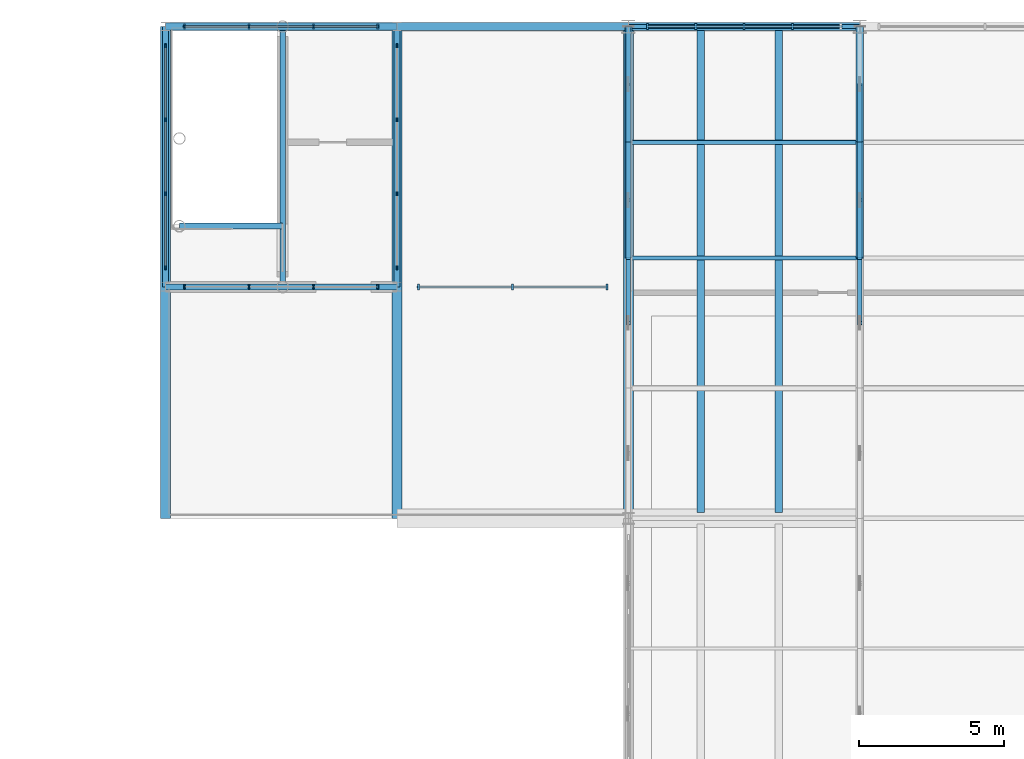
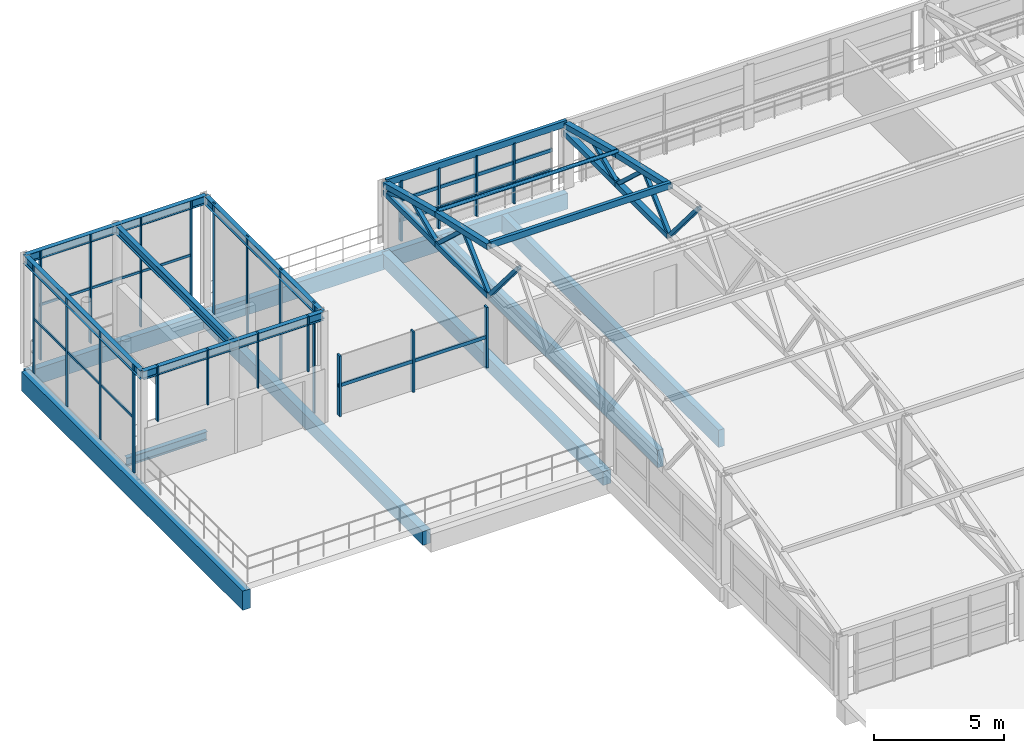
# One storey, part 17 of 50: 48 members, 14 beams, 6 elements without a shape of their own.
"""IFC4 building model written with IfcOpenShell, lengths in metres."""

from ifc_helpers import new_model, si_unit, derived_unit, direction, frame, origin, origin_2d, place, context, subcontext, project, spatial, rectangle, hollow_rectangle, hollow_circle, i_section, extrude, material, layer, layer_set, material_profile, profile_set, type_object, element, aggregate, save


model = new_model("IFC4")

# Units and contexts
model_context = context("Model", 3, precision=1e-05, world=origin(), true_north=direction((0.0, 1.0)))
body_context = subcontext(model_context, "Body", "Model", "MODEL_VIEW")
ifc_project = project(units=[si_unit("LENGTHUNIT", "METRE"), si_unit("AREAUNIT", "SQUARE_METRE"), si_unit("VOLUMEUNIT", "CUBIC_METRE"), si_unit("PLANEANGLEUNIT", "RADIAN"), si_unit("MASSUNIT", "GRAM", prefix="KILO"), si_unit("THERMODYNAMICTEMPERATUREUNIT", "KELVIN"), derived_unit("THERMALTRANSMITTANCEUNIT", [(si_unit("POWERUNIT", "WATT"), 1), (si_unit("AREAUNIT", "SQUARE_METRE"), -1), (si_unit("THERMODYNAMICTEMPERATUREUNIT", "KELVIN"), -1)])], contexts=[model_context])

# Site, building, storey
site_placement = place(None, origin())
site = spatial("IfcSite", under=ifc_project, at=site_placement, CompositionType="ELEMENT")
building_placement = place(site_placement, origin())
building = spatial("IfcBuilding", under=site, at=building_placement, Name="Haiyu Intermodal Mobility Hub", CompositionType="ELEMENT")
storey_placement = place(building_placement, frame((0.0, 0.0, 25.10009765625)))
storey = spatial("IfcBuildingStorey", under=building, at=storey_placement, Name="L06", CompositionType="ELEMENT", Elevation=25.10009765625)

# Beams
ifc_material_1 = material(Name="Concrete C40", Category="concrete")
ifc_material_profile_1 = material_profile(ifc_material_1, rectangle(XDim=0.35009765625, YDim=0.64990234375, at=origin_2d()), Name="RCB350x650")
ifc_profile_set_1 = profile_set([ifc_material_profile_1], Name="Concrete C40")
beam_type_1 = type_object("IfcBeamType", Name="BM-CB04", PredefinedType="BEAM", material=ifc_profile_set_1)
for number, where, z_axis, x_axis, name in (
    (1, (30.0, 131.0, -0.60498046875), (0.0, 1.0, 0.0), (-1.0, 0.0, 0.0), "BM-V4E-L06-002"),
    (2, (38.0, 131.0, -0.60498046875), (0.0, 1.0, 0.0), (-1.0, 0.0, 0.0), "BM-V4E-L06-004"),
):
    element("IfcBeam", number, at=place(storey_placement, frame(where, z_axis=z_axis, x_axis=x_axis)), inside=storey, type_object=beam_type_1, Name=name, PredefinedType="BEAM", context=body_context, shape_type="SweptSolid", body=[
        extrude(rectangle(XDim=0.35009765625, YDim=0.64990234375, at=origin_2d()), origin(), (0.0, 0.0, 1.0), 17.0),
    ])
ifc_material_2 = material(Name="Precast concrete C50", Category="concrete")
ifc_material_profile_2 = material_profile(ifc_material_2, rectangle(XDim=0.260009765625, YDim=0.820068359375, at=origin_2d()), Name="PC260x820")
ifc_profile_set_2 = profile_set([ifc_material_profile_2], Name="Precast concrete C50")
beam_type_2 = type_object("IfcBeamType", Name="BM-DT04", PredefinedType="JOIST", material=ifc_profile_set_2)
for number, where, z_axis, x_axis, name in (
    (3, (40.5, 131.195068359375, -0.690185546875), (0.0, 1.0, 0.0), (-1.0, 0.0, 0.0), "BM-DT-L06-002"),
    (4, (43.199951171875, 131.195068359375, -0.690185546875), (0.0, 1.0, 0.0), (-1.0, 0.0, 0.0), "BM-DT-L06-004"),
):
    element("IfcBeam", number, at=place(storey_placement, frame(where, z_axis=z_axis, x_axis=x_axis)), inside=storey, type_object=beam_type_2, Name=name, PredefinedType="JOIST", context=body_context, shape_type="SweptSolid", body=[
        extrude(rectangle(XDim=0.260009765625, YDim=0.820068359375, at=origin_2d()), origin(), (0.0, 0.0, 1.0), 16.804931640625),
    ])
ifc_material_3 = material(Name="Steel Q355C", Category="steel")
ifc_material_profile_3 = material_profile(ifc_material_3, i_section(OverallWidth=0.199951171875, OverallDepth=0.39990234375, WebThickness=0.008056640625, FlangeThickness=0.012939453125, FilletRadius=0.01611328125, at=origin_2d()), Name="HN400x200x8x13")
ifc_profile_set_3 = profile_set([ifc_material_profile_3], Name="Steel Q355C")
beam_type_3 = type_object("IfcBeamType", Name="BM-SB08", PredefinedType="JOIST", material=ifc_profile_set_3)
beam_1_placement = place(storey_placement, frame((22.47998046875, 141.10009765625, -0.525146484375), z_axis=(1.0, 0.0, 0.0), x_axis=(0.0, 1.0, 0.0)))
element("IfcBeam", 5, at=beam_1_placement, inside=storey, type_object=beam_type_3, Name="Stair Arrival Trimmer Beam C3-L05", PredefinedType="JOIST", context=body_context, shape_type="SweptSolid", body=[
    extrude(i_section(OverallWidth=0.199951171875, OverallDepth=0.39990234375, WebThickness=0.008056640625, FlangeThickness=0.012939453125, FilletRadius=0.01611328125, at=origin_2d()), origin(), (0.0, 0.0, 1.0), 3.570068359375),
])
ifc_material_profile_4 = material_profile(ifc_material_3, i_section(OverallWidth=0.199951171875, OverallDepth=0.39990234375, WebThickness=0.008056640625, FlangeThickness=0.012939453125, FilletRadius=0.01611328125, at=origin_2d()), Name="HN400x200x8x13")
ifc_profile_set_4 = profile_set([ifc_material_profile_4], Name="Steel Q355C")
beam_type_4 = type_object("IfcBeamType", Name="BM-SB08-EXT", PredefinedType="JOIST", material=ifc_profile_set_4)
beam_2_placement = place(storey_placement, frame((22.0, 139.0, 4.97998046875), z_axis=(1.0, 0.0, 0.0), x_axis=(0.0, 1.0, 0.0)))
element("IfcBeam", 6, at=beam_2_placement, inside=storey, type_object=beam_type_4, Name="BM-CORERF-001", PredefinedType="JOIST", context=body_context, shape_type="SweptSolid", body=[
    extrude(i_section(OverallWidth=0.199951171875, OverallDepth=0.39990234375, WebThickness=0.008056640625, FlangeThickness=0.012939453125, FilletRadius=0.01611328125, at=origin_2d()), origin(), (0.0, 0.0, 1.0), 8.0),
])
beam_3_placement = place(storey_placement, frame((30.0, 139.0, 4.97998046875), z_axis=(0.0, 1.0, 0.0), x_axis=(-1.0, 0.0, 0.0)))
element("IfcBeam", 7, at=beam_3_placement, inside=storey, type_object=beam_type_4, Name="BM-CORERF-002", PredefinedType="JOIST", context=body_context, shape_type="SweptSolid", body=[
    extrude(i_section(OverallWidth=0.199951171875, OverallDepth=0.39990234375, WebThickness=0.008056640625, FlangeThickness=0.012939453125, FilletRadius=0.01611328125, at=origin_2d()), origin(), (0.0, 0.0, 1.0), 9.0),
])
beam_4_placement = place(storey_placement, frame((30.0, 148.0, 4.97998046875), z_axis=(-1.0, 0.0, 0.0), x_axis=(0.0, -1.0, 0.0)))
element("IfcBeam", 8, at=beam_4_placement, inside=storey, type_object=beam_type_4, Name="BM-CORERF-003", PredefinedType="JOIST", context=body_context, shape_type="SweptSolid", body=[
    extrude(i_section(OverallWidth=0.199951171875, OverallDepth=0.39990234375, WebThickness=0.008056640625, FlangeThickness=0.012939453125, FilletRadius=0.01611328125, at=origin_2d()), origin(), (0.0, 0.0, 1.0), 8.0),
])
for number, where, z_axis, x_axis, name in (
    (9, (22.0, 148.0, 4.97998046875), (0.0, -1.0, 0.0), (1.0, 0.0, 0.0), "BM-CORERF-004"),
    (10, (26.050048828125, 139.0, 4.97998046875), (0.0, 1.0, 0.0), (-1.0, 0.0, 0.0), "BM-CORERF-005"),
):
    element("IfcBeam", number, at=place(storey_placement, frame(where, z_axis=z_axis, x_axis=x_axis)), inside=storey, type_object=beam_type_4, Name=name, PredefinedType="JOIST", context=body_context, shape_type="SweptSolid", body=[
        extrude(i_section(OverallWidth=0.199951171875, OverallDepth=0.39990234375, WebThickness=0.008056640625, FlangeThickness=0.012939453125, FilletRadius=0.01611328125, at=origin_2d()), origin(), (0.0, 0.0, 1.0), 9.0),
    ])
ifc_material_4 = material(Name="Precast concrete C40", Category="concrete")
ifc_material_profile_5 = material_profile(ifc_material_4, rectangle(XDim=0.340087890625, YDim=0.89990234375, at=origin_2d()), Name="B340x900")
ifc_profile_set_5 = profile_set([ifc_material_profile_5], Name="Precast concrete C40")
beam_type_5 = type_object("IfcBeamType", Name="BM-SP04", PredefinedType="SPANDREL", material=ifc_profile_set_5)
beam_5_placement = place(storey_placement, frame((22.0, 131.0, -0.72998046875), z_axis=(0.0, 1.0, 0.0), x_axis=(-1.0, 0.0, 0.0)))
element("IfcBeam", 11, at=beam_5_placement, inside=storey, type_object=beam_type_5, Name="BM-V4E-L06-001", PredefinedType="SPANDREL", context=body_context, shape_type="SweptSolid", body=[
    extrude(rectangle(XDim=0.340087890625, YDim=0.89990234375, at=origin_2d()), origin(), (0.0, 0.0, 1.0), 17.0),
])
ifc_material_profile_6 = material_profile(ifc_material_4, rectangle(XDim=0.280029296875, YDim=0.739990234375, at=origin_2d()), Name="B280x740")
ifc_profile_set_6 = profile_set([ifc_material_profile_6], Name="Precast concrete C40")
beam_type_6 = type_object("IfcBeamType", Name="BM-SP05", PredefinedType="SPANDREL", material=ifc_profile_set_6)
for number, where, z_axis, x_axis, name in (
    (12, (22.0, 148.0, -0.650146484375), (1.0, 0.0, 0.0), (0.0, 1.0, 0.0), "BM-V4G-L06-041"),
    (13, (30.0, 148.0, -0.650146484375), (1.0, 0.0, 0.0), (0.0, 1.0, 0.0), "BM-V4G-L06-042"),
    (14, (38.0, 148.0, -0.650146484375), (1.0, 0.0, 0.0), (0.0, 1.0, 0.0), "BM-V4G-L06-043"),
):
    element("IfcBeam", number, at=place(storey_placement, frame(where, z_axis=z_axis, x_axis=x_axis)), inside=storey, type_object=beam_type_6, Name=name, PredefinedType="SPANDREL", context=body_context, shape_type="SweptSolid", body=[
        extrude(rectangle(XDim=0.280029296875, YDim=0.739990234375, at=origin_2d()), origin(), (0.0, 0.0, 1.0), 8.0),
    ])

# Curtain wall, members
ifc_material_5 = material(Name="Low-e laminated insulating glass", Category="glass")
ifc_layer_1 = layer(ifc_material_5, 0.22998046875)
ifc_layer_set_1 = layer_set([ifc_layer_1], Name="Low-e laminated insulating glass")
curtain_wall_type_1 = type_object("IfcCurtainWallType", Name="CW-CW05", PredefinedType="NOTDEFINED", material=ifc_layer_set_1)
curtain_wall_1_placement = place(storey_placement, origin())
curtain_wall_1 = element("IfcCurtainWall", 15, at=curtain_wall_1_placement, inside=storey, type_object=curtain_wall_type_1, Name="Curtain Wall CW-V3N-156", PredefinedType="NOTDEFINED")
ifc_material_6 = material(Name="Anodised aluminium 6063-T6", Category="aluminium")
ifc_material_profile_7 = material_profile(ifc_material_6, rectangle(XDim=0.074951171875, YDim=0.199951171875, at=origin_2d()), Name="ALU75x200")
ifc_profile_set_7 = profile_set([ifc_material_profile_7], Name="Anodised aluminium 6063-T6")
member_type_1 = type_object("IfcMemberType", Name="CWM-ML01", PredefinedType="MULLION", material=ifc_profile_set_7)
member_1_placement = place(storey_placement, frame((43.669921875, 148.0, 0.0), z_axis=(0.0, 0.0, 1.0), x_axis=(1.0, 0.0, 0.0)))
member_1 = element("IfcMember", 16, at=member_1_placement, type_object=member_type_1, Name="CW-V3N-156-ML02", PredefinedType="MULLION", context=body_context, shape_type="SweptSolid", body=[
    extrude(rectangle(XDim=0.074951171875, YDim=0.199951171875, at=origin_2d()), origin(), (0.0, 0.0, 1.0), 2.849853515625),
])
member_2_placement = place(storey_placement, frame((42.0, 148.0, 0.0), z_axis=(0.0, 0.0, 1.0), x_axis=(1.0, 0.0, 0.0)))
member_2 = element("IfcMember", 17, at=member_2_placement, type_object=member_type_1, Name="CW-V3N-156-ML03", PredefinedType="MULLION", context=body_context, shape_type="SweptSolid", body=[
    extrude(rectangle(XDim=0.074951171875, YDim=0.199951171875, at=origin_2d()), origin(), (0.0, 0.0, 1.0), 2.849853515625),
])
member_3_placement = place(storey_placement, frame((40.330078125, 148.0, 0.0), z_axis=(0.0, 0.0, 1.0), x_axis=(1.0, 0.0, 0.0)))
member_3 = element("IfcMember", 18, at=member_3_placement, type_object=member_type_1, Name="CW-V3N-156-ML04", PredefinedType="MULLION", context=body_context, shape_type="SweptSolid", body=[
    extrude(rectangle(XDim=0.074951171875, YDim=0.199951171875, at=origin_2d()), origin(), (0.0, 0.0, 1.0), 2.849853515625),
])
member_4_placement = place(storey_placement, frame((38.659912109375, 148.0, 0.0), z_axis=(0.0, 0.0, 1.0), x_axis=(1.0, 0.0, 0.0)))
member_4 = element("IfcMember", 19, at=member_4_placement, type_object=member_type_1, Name="CW-V3N-156-ML05", PredefinedType="MULLION", context=body_context, shape_type="SweptSolid", body=[
    extrude(rectangle(XDim=0.074951171875, YDim=0.199951171875, at=origin_2d()), origin(), (0.0, 0.0, 1.0), 2.849853515625),
])

curtain_wall_2_placement = place(storey_placement, origin())
curtain_wall_2 = element("IfcCurtainWall", 20, at=curtain_wall_2_placement, inside=storey, type_object=curtain_wall_type_1, Name="Curtain Wall CW-V3LINK-187", PredefinedType="NOTDEFINED")
member_5_placement = place(storey_placement, frame((30.739990234375, 139.0, 0.0), z_axis=(0.0, 0.0, 1.0), x_axis=(1.0, 0.0, 0.0)))
member_5 = element("IfcMember", 21, at=member_5_placement, type_object=member_type_1, Name="CW-V3LINK-187-ML01", PredefinedType="MULLION", context=body_context, shape_type="SweptSolid", body=[
    extrude(rectangle(XDim=0.074951171875, YDim=0.199951171875, at=origin_2d()), origin(), (0.0, 0.0, 1.0), 2.849853515625),
])
member_6_placement = place(storey_placement, frame((34.0, 139.0, 0.0), z_axis=(0.0, 0.0, 1.0), x_axis=(1.0, 0.0, 0.0)))
member_6 = element("IfcMember", 22, at=member_6_placement, type_object=member_type_1, Name="CW-V3LINK-187-ML02", PredefinedType="MULLION", context=body_context, shape_type="SweptSolid", body=[
    extrude(rectangle(XDim=0.074951171875, YDim=0.199951171875, at=origin_2d()), origin(), (0.0, 0.0, 1.0), 2.849853515625),
])
member_7_placement = place(storey_placement, frame((37.260009765625, 139.0, 0.0), z_axis=(0.0, 0.0, 1.0), x_axis=(1.0, 0.0, 0.0)))
member_7 = element("IfcMember", 23, at=member_7_placement, type_object=member_type_1, Name="CW-V3LINK-187-ML03", PredefinedType="MULLION", context=body_context, shape_type="SweptSolid", body=[
    extrude(rectangle(XDim=0.074951171875, YDim=0.199951171875, at=origin_2d()), origin(), (0.0, 0.0, 1.0), 2.849853515625),
])

ifc_layer_2 = layer(ifc_material_5, 0.199951171875)
ifc_layer_set_2 = layer_set([ifc_layer_2], Name="Low-e laminated insulating glass")
curtain_wall_type_2 = type_object("IfcCurtainWallType", Name="CW-CW03", PredefinedType="NOTDEFINED", material=ifc_layer_set_2)
curtain_wall_3_placement = place(storey_placement, origin())
curtain_wall_3 = element("IfcCurtainWall", 24, at=curtain_wall_3_placement, inside=storey, type_object=curtain_wall_type_2, Name="Curtain Wall CW-C3N-L06-061", PredefinedType="NOTDEFINED")
ifc_material_profile_8 = material_profile(ifc_material_6, rectangle(XDim=0.06005859375, YDim=0.14501953125, at=origin_2d()), Name="ALU60x145")
ifc_profile_set_8 = profile_set([ifc_material_profile_8], Name="Anodised aluminium 6063-T6")
member_type_2 = type_object("IfcMemberType", Name="CWM-ML03", PredefinedType="MULLION", material=ifc_profile_set_8)
member_8_placement = place(storey_placement, frame((29.340087890625, 148.0, 0.0), z_axis=(0.0, 0.0, 1.0), x_axis=(1.0, 0.0, 0.0)))
member_8 = element("IfcMember", 25, at=member_8_placement, type_object=member_type_2, Name="CW-C3N-L06-061-ML01", PredefinedType="MULLION", context=body_context, shape_type="SweptSolid", body=[
    extrude(rectangle(XDim=0.06005859375, YDim=0.14501953125, at=origin_2d()), origin(), (0.0, 0.0, 1.0), 5.14990234375),
])
member_9_placement = place(storey_placement, frame((27.113037109375, 148.0, 0.0), z_axis=(0.0, 0.0, 1.0), x_axis=(1.0, 0.0, 0.0)))
member_9 = element("IfcMember", 26, at=member_9_placement, type_object=member_type_2, Name="CW-C3N-L06-061-ML02", PredefinedType="MULLION", context=body_context, shape_type="SweptSolid", body=[
    extrude(rectangle(XDim=0.06005859375, YDim=0.14501953125, at=origin_2d()), origin(), (0.0, 0.0, 1.0), 5.14990234375),
])
member_10_placement = place(storey_placement, frame((24.886962890625, 148.0, 0.0), z_axis=(0.0, 0.0, 1.0), x_axis=(1.0, 0.0, 0.0)))
member_10 = element("IfcMember", 27, at=member_10_placement, type_object=member_type_2, Name="CW-C3N-L06-061-ML03", PredefinedType="MULLION", context=body_context, shape_type="SweptSolid", body=[
    extrude(rectangle(XDim=0.06005859375, YDim=0.14501953125, at=origin_2d()), origin(), (0.0, 0.0, 1.0), 5.14990234375),
])
member_11_placement = place(storey_placement, frame((22.659912109375, 148.0, 0.0), z_axis=(0.0, 0.0, 1.0), x_axis=(1.0, 0.0, 0.0)))
member_11 = element("IfcMember", 28, at=member_11_placement, type_object=member_type_2, Name="CW-C3N-L06-061-ML04", PredefinedType="MULLION", context=body_context, shape_type="SweptSolid", body=[
    extrude(rectangle(XDim=0.06005859375, YDim=0.14501953125, at=origin_2d()), origin(), (0.0, 0.0, 1.0), 5.14990234375),
])

curtain_wall_4_placement = place(storey_placement, origin())
curtain_wall_4 = element("IfcCurtainWall", 29, at=curtain_wall_4_placement, inside=storey, type_object=curtain_wall_type_2, Name="Curtain Wall CW-C3S-L06-062", PredefinedType="NOTDEFINED")
member_12_placement = place(storey_placement, frame((22.0, 147.340087890625, 0.0), z_axis=(0.0, 0.0, 1.0), x_axis=(1.0, 0.0, 0.0)))
member_12 = element("IfcMember", 30, at=member_12_placement, type_object=member_type_2, Name="CW-C3S-L06-062-ML01", PredefinedType="MULLION", context=body_context, shape_type="SweptSolid", body=[
    extrude(rectangle(XDim=0.06005859375, YDim=0.14501953125, at=origin_2d()), origin(), (0.0, 0.0, 1.0), 5.14990234375),
])
member_13_placement = place(storey_placement, frame((22.0, 144.780029296875, 0.0), z_axis=(0.0, 0.0, 1.0), x_axis=(1.0, 0.0, 0.0)))
member_13 = element("IfcMember", 31, at=member_13_placement, type_object=member_type_2, Name="CW-C3S-L06-062-ML02", PredefinedType="MULLION", context=body_context, shape_type="SweptSolid", body=[
    extrude(rectangle(XDim=0.06005859375, YDim=0.14501953125, at=origin_2d()), origin(), (0.0, 0.0, 1.0), 5.14990234375),
])
member_14_placement = place(storey_placement, frame((22.0, 142.219970703125, 0.0), z_axis=(0.0, 0.0, 1.0), x_axis=(1.0, 0.0, 0.0)))
member_14 = element("IfcMember", 32, at=member_14_placement, type_object=member_type_2, Name="CW-C3S-L06-062-ML03", PredefinedType="MULLION", context=body_context, shape_type="SweptSolid", body=[
    extrude(rectangle(XDim=0.06005859375, YDim=0.14501953125, at=origin_2d()), origin(), (0.0, 0.0, 1.0), 5.14990234375),
])
member_15_placement = place(storey_placement, frame((22.0, 139.659912109375, 0.0), z_axis=(0.0, 0.0, 1.0), x_axis=(1.0, 0.0, 0.0)))
member_15 = element("IfcMember", 33, at=member_15_placement, type_object=member_type_2, Name="CW-C3S-L06-062-ML04", PredefinedType="MULLION", context=body_context, shape_type="SweptSolid", body=[
    extrude(rectangle(XDim=0.06005859375, YDim=0.14501953125, at=origin_2d()), origin(), (0.0, 0.0, 1.0), 5.14990234375),
])

curtain_wall_5_placement = place(storey_placement, origin())
curtain_wall_5 = element("IfcCurtainWall", 34, at=curtain_wall_5_placement, inside=storey, type_object=curtain_wall_type_2, Name="Curtain Wall CW-CGLZ-C3-1", PredefinedType="NOTDEFINED")
member_16_placement = place(storey_placement, frame((30.0, 139.659912109375, 0.0), z_axis=(0.0, 0.0, 1.0), x_axis=(1.0, 0.0, 0.0)))
member_16 = element("IfcMember", 35, at=member_16_placement, type_object=member_type_2, Name="CW-CGLZ-C3-1-ML01", PredefinedType="MULLION", context=body_context, shape_type="SweptSolid", body=[
    extrude(rectangle(XDim=0.06005859375, YDim=0.14501953125, at=origin_2d()), origin(), (0.0, 0.0, 1.0), 5.179931640625),
])
member_17_placement = place(storey_placement, frame((30.0, 142.219970703125, 0.0), z_axis=(0.0, 0.0, 1.0), x_axis=(1.0, 0.0, 0.0)))
member_17 = element("IfcMember", 36, at=member_17_placement, type_object=member_type_2, Name="CW-CGLZ-C3-1-ML02", PredefinedType="MULLION", context=body_context, shape_type="SweptSolid", body=[
    extrude(rectangle(XDim=0.06005859375, YDim=0.14501953125, at=origin_2d()), origin(), (0.0, 0.0, 1.0), 5.179931640625),
])
member_18_placement = place(storey_placement, frame((30.0, 144.780029296875, 0.0), z_axis=(0.0, 0.0, 1.0), x_axis=(1.0, 0.0, 0.0)))
member_18 = element("IfcMember", 37, at=member_18_placement, type_object=member_type_2, Name="CW-CGLZ-C3-1-ML03", PredefinedType="MULLION", context=body_context, shape_type="SweptSolid", body=[
    extrude(rectangle(XDim=0.06005859375, YDim=0.14501953125, at=origin_2d()), origin(), (0.0, 0.0, 1.0), 5.179931640625),
])
member_19_placement = place(storey_placement, frame((30.0, 147.340087890625, 0.0), z_axis=(0.0, 0.0, 1.0), x_axis=(1.0, 0.0, 0.0)))
member_19 = element("IfcMember", 38, at=member_19_placement, type_object=member_type_2, Name="CW-CGLZ-C3-1-ML04", PredefinedType="MULLION", context=body_context, shape_type="SweptSolid", body=[
    extrude(rectangle(XDim=0.06005859375, YDim=0.14501953125, at=origin_2d()), origin(), (0.0, 0.0, 1.0), 5.179931640625),
])
aggregate(curtain_wall_5, [member_16, member_17, member_18, member_19])

curtain_wall_6_placement = place(storey_placement, origin())
curtain_wall_6 = element("IfcCurtainWall", 39, at=curtain_wall_6_placement, inside=storey, type_object=curtain_wall_type_2, Name="Curtain Wall CW-CGLZ-C3-2", PredefinedType="NOTDEFINED")
member_20_placement = place(storey_placement, frame((22.659912109375, 139.0, 2.579833984375), z_axis=(0.0, 0.0, 1.0), x_axis=(1.0, 0.0, 0.0)))
member_20 = element("IfcMember", 40, at=member_20_placement, type_object=member_type_2, Name="CW-CGLZ-C3-2-ML01", PredefinedType="MULLION", context=body_context, shape_type="SweptSolid", body=[
    extrude(rectangle(XDim=0.06005859375, YDim=0.14501953125, at=origin_2d()), origin(), (0.0, 0.0, 1.0), 2.60009765625),
])
member_21_placement = place(storey_placement, frame((24.886962890625, 139.0, 2.579833984375), z_axis=(0.0, 0.0, 1.0), x_axis=(1.0, 0.0, 0.0)))
member_21 = element("IfcMember", 41, at=member_21_placement, type_object=member_type_2, Name="CW-CGLZ-C3-2-ML02", PredefinedType="MULLION", context=body_context, shape_type="SweptSolid", body=[
    extrude(rectangle(XDim=0.06005859375, YDim=0.14501953125, at=origin_2d()), origin(), (0.0, 0.0, 1.0), 2.60009765625),
])
member_22_placement = place(storey_placement, frame((27.113037109375, 139.0, 2.579833984375), z_axis=(0.0, 0.0, 1.0), x_axis=(1.0, 0.0, 0.0)))
member_22 = element("IfcMember", 42, at=member_22_placement, type_object=member_type_2, Name="CW-CGLZ-C3-2-ML03", PredefinedType="MULLION", context=body_context, shape_type="SweptSolid", body=[
    extrude(rectangle(XDim=0.06005859375, YDim=0.14501953125, at=origin_2d()), origin(), (0.0, 0.0, 1.0), 2.60009765625),
])
member_23_placement = place(storey_placement, frame((29.340087890625, 139.0, 2.579833984375), z_axis=(0.0, 0.0, 1.0), x_axis=(1.0, 0.0, 0.0)))
member_23 = element("IfcMember", 43, at=member_23_placement, type_object=member_type_2, Name="CW-CGLZ-C3-2-ML04", PredefinedType="MULLION", context=body_context, shape_type="SweptSolid", body=[
    extrude(rectangle(XDim=0.06005859375, YDim=0.14501953125, at=origin_2d()), origin(), (0.0, 0.0, 1.0), 2.60009765625),
])
aggregate(curtain_wall_6, [member_20, member_21, member_22, member_23])

# Member
ifc_material_profile_9 = material_profile(ifc_material_6, rectangle(XDim=0.074951171875, YDim=0.159912109375, at=origin_2d()), Name="ALU75x160")
ifc_profile_set_9 = profile_set([ifc_material_profile_9], Name="Anodised aluminium 6063-T6")
member_type_3 = type_object("IfcMemberType", Name="CWM-TR01", PredefinedType="USERDEFINED", material=ifc_profile_set_9)
member_24_placement = place(storey_placement, frame((45.3798828125, 148.0, 0.949951171875), z_axis=(-1.0, 0.0, 0.0), x_axis=(0.0, -1.0, 0.0)))
member_24 = element("IfcMember", 44, at=member_24_placement, type_object=member_type_3, Name="CW-V3N-156-TR01", ObjectType="TRANSOM", PredefinedType="USERDEFINED", context=body_context, shape_type="SweptSolid", body=[
    extrude(rectangle(XDim=0.074951171875, YDim=0.159912109375, at=origin_2d()), origin(), (0.0, 0.0, 1.0), 6.759765625),
])

member_25_placement = place(storey_placement, frame((45.3798828125, 148.0, 1.89990234375), z_axis=(-1.0, 0.0, 0.0), x_axis=(0.0, -1.0, 0.0)))
member_25 = element("IfcMember", 45, at=member_25_placement, type_object=member_type_3, Name="CW-V3N-156-TR02", ObjectType="TRANSOM", PredefinedType="USERDEFINED", context=body_context, shape_type="SweptSolid", body=[
    extrude(rectangle(XDim=0.074951171875, YDim=0.159912109375, at=origin_2d()), origin(), (0.0, 0.0, 1.0), 6.759765625),
])

aggregate(curtain_wall_1, [member_1, member_2, member_3, member_4, member_24, member_25])

member_26_placement = place(storey_placement, frame((30.699951171875, 139.0, 1.4248046875), z_axis=(1.0, 0.0, 0.0), x_axis=(0.0, 1.0, 0.0)))
member_26 = element("IfcMember", 46, at=member_26_placement, type_object=member_type_3, Name="CW-V3LINK-187-TR01", ObjectType="TRANSOM", PredefinedType="USERDEFINED", context=body_context, shape_type="SweptSolid", body=[
    extrude(rectangle(XDim=0.074951171875, YDim=0.159912109375, at=origin_2d()), origin(), (0.0, 0.0, 1.0), 6.60009765625),
])

aggregate(curtain_wall_2, [member_5, member_6, member_7, member_26])

ifc_material_profile_10 = material_profile(ifc_material_6, rectangle(XDim=0.06005859375, YDim=0.114990234375, at=origin_2d()), Name="ALU60x115")
ifc_profile_set_10 = profile_set([ifc_material_profile_10], Name="Anodised aluminium 6063-T6")
member_type_4 = type_object("IfcMemberType", Name="CWM-TR03", PredefinedType="USERDEFINED", material=ifc_profile_set_10)
member_27_placement = place(storey_placement, frame((29.3798828125, 148.0, 2.574951171875), z_axis=(-1.0, 0.0, 0.0), x_axis=(0.0, -1.0, 0.0)))
member_27 = element("IfcMember", 47, at=member_27_placement, type_object=member_type_4, Name="CW-C3N-L06-061-TR01", ObjectType="TRANSOM", PredefinedType="USERDEFINED", context=body_context, shape_type="SweptSolid", body=[
    extrude(rectangle(XDim=0.06005859375, YDim=0.114990234375, at=origin_2d()), origin(), (0.0, 0.0, 1.0), 6.759765625),
])

aggregate(curtain_wall_3, [member_8, member_9, member_10, member_11, member_27])

member_28_placement = place(storey_placement, frame((22.0, 147.3798828125, 2.574951171875), z_axis=(0.0, -1.0, 0.0), x_axis=(1.0, 0.0, 0.0)))
member_28 = element("IfcMember", 48, at=member_28_placement, type_object=member_type_4, Name="CW-C3S-L06-062-TR01", ObjectType="TRANSOM", PredefinedType="USERDEFINED", context=body_context, shape_type="SweptSolid", body=[
    extrude(rectangle(XDim=0.06005859375, YDim=0.114990234375, at=origin_2d()), origin(), (0.0, 0.0, 1.0), 7.759765625),
])

aggregate(curtain_wall_4, [member_12, member_13, member_14, member_15, member_28])

# Members
ifc_material_profile_11 = material_profile(ifc_material_3, hollow_rectangle(XDim=0.25, YDim=0.25, WallThickness=0.010009765625, at=origin_2d()), Name="SHS250x250x10")
ifc_profile_set_11 = profile_set([ifc_material_profile_11], Name="Steel Q355C")
member_type_5 = type_object("IfcMemberType", Name="MEM-CH01", PredefinedType="CHORD", material=ifc_profile_set_11)
member_29_placement = place(storey_placement, frame((38.0, 140.0, 4.80078125), z_axis=(0.0, 0.975410459247, -0.220396088875), x_axis=(-1.0, 0.0, 0.0)))
element("IfcMember", 49, at=member_29_placement, inside=storey, type_object=member_type_5, Name="MEM-PAV-TC-007", PredefinedType="CHORD", context=body_context, shape_type="SweptSolid", body=[
    extrude(hollow_rectangle(XDim=0.25, YDim=0.25, WallThickness=0.010009765625, at=origin_2d()), origin(), (0.0, 0.0, 1.0), 4.100830078125),
])
member_30_placement = place(storey_placement, frame((38.0, 140.0, 2.5), z_axis=(0.0, 1.0, 0.0), x_axis=(-1.0, 0.0, 0.0)))
element("IfcMember", 50, at=member_30_placement, inside=storey, type_object=member_type_5, Name="MEM-PAV-BC-007", PredefinedType="CHORD", context=body_context, shape_type="SweptSolid", body=[
    extrude(hollow_rectangle(XDim=0.25, YDim=0.25, WallThickness=0.010009765625, at=origin_2d()), origin(), (0.0, 0.0, 1.0), 4.0),
])
member_31_placement = place(storey_placement, frame((38.0, 144.0, 3.89697265625), z_axis=(0.0, 0.967992645368, -0.250978561861), x_axis=(-1.0, 0.0, 0.0)))
element("IfcMember", 51, at=member_31_placement, inside=storey, type_object=member_type_5, Name="MEM-PAV-TC-008", PredefinedType="CHORD", context=body_context, shape_type="SweptSolid", body=[
    extrude(hollow_rectangle(XDim=0.25, YDim=0.25, WallThickness=0.010009765625, at=origin_2d()), origin(), (0.0, 0.0, 1.0), 4.13232421875),
])
member_32_placement = place(storey_placement, frame((38.0, 144.0, 2.5), z_axis=(0.0, 1.0, 0.0), x_axis=(-1.0, 0.0, 0.0)))
element("IfcMember", 52, at=member_32_placement, inside=storey, type_object=member_type_5, Name="MEM-PAV-BC-008", PredefinedType="CHORD", context=body_context, shape_type="SweptSolid", body=[
    extrude(hollow_rectangle(XDim=0.25, YDim=0.25, WallThickness=0.010009765625, at=origin_2d()), origin(), (0.0, 0.0, 1.0), 4.0),
])
member_33_placement = place(storey_placement, frame((46.0, 140.0, 4.80078125), z_axis=(0.0, 0.975410459247, -0.220396088875), x_axis=(-1.0, 0.0, 0.0)))
element("IfcMember", 53, at=member_33_placement, inside=storey, type_object=member_type_5, Name="MEM-PAV-TC-015", PredefinedType="CHORD", context=body_context, shape_type="SweptSolid", body=[
    extrude(hollow_rectangle(XDim=0.25, YDim=0.25, WallThickness=0.010009765625, at=origin_2d()), origin(), (0.0, 0.0, 1.0), 4.100830078125),
])
member_34_placement = place(storey_placement, frame((46.0, 140.0, 2.5), z_axis=(0.0, 1.0, 0.0), x_axis=(-1.0, 0.0, 0.0)))
element("IfcMember", 54, at=member_34_placement, inside=storey, type_object=member_type_5, Name="MEM-PAV-BC-015", PredefinedType="CHORD", context=body_context, shape_type="SweptSolid", body=[
    extrude(hollow_rectangle(XDim=0.25, YDim=0.25, WallThickness=0.010009765625, at=origin_2d()), origin(), (0.0, 0.0, 1.0), 4.0),
])
member_35_placement = place(storey_placement, frame((46.0, 144.0, 3.89697265625), z_axis=(0.0, 0.967992645368, -0.250978561861), x_axis=(-1.0, 0.0, 0.0)))
element("IfcMember", 55, at=member_35_placement, inside=storey, type_object=member_type_5, Name="MEM-PAV-TC-016", PredefinedType="CHORD", context=body_context, shape_type="SweptSolid", body=[
    extrude(hollow_rectangle(XDim=0.25, YDim=0.25, WallThickness=0.010009765625, at=origin_2d()), origin(), (0.0, 0.0, 1.0), 4.13232421875),
])
member_36_placement = place(storey_placement, frame((46.0, 144.0, 2.5), z_axis=(0.0, 1.0, 0.0), x_axis=(-1.0, 0.0, 0.0)))
element("IfcMember", 56, at=member_36_placement, inside=storey, type_object=member_type_5, Name="MEM-PAV-BC-016", PredefinedType="CHORD", context=body_context, shape_type="SweptSolid", body=[
    extrude(hollow_rectangle(XDim=0.25, YDim=0.25, WallThickness=0.010009765625, at=origin_2d()), origin(), (0.0, 0.0, 1.0), 4.0),
])
ifc_material_profile_12 = material_profile(ifc_material_3, hollow_rectangle(XDim=0.159912109375, YDim=0.159912109375, WallThickness=0.006103515625, at=origin_2d()), Name="SHS160x160x6")
ifc_profile_set_12 = profile_set([ifc_material_profile_12], Name="Steel Q355C")
member_type_6 = type_object("IfcMemberType", Name="MEM-CH03", PredefinedType="CHORD", material=ifc_profile_set_12)
member_37_placement = place(storey_placement, frame((38.0, 137.75, 5.159912109375), z_axis=(0.0, 0.64582600347, -0.763484625413), x_axis=(-1.0, 0.0, 0.0)))
element("IfcMember", 57, at=member_37_placement, inside=storey, type_object=member_type_6, Name="MEM-PAV-D2-006", PredefinedType="CHORD", context=body_context, shape_type="SweptSolid", body=[
    extrude(hollow_rectangle(XDim=0.159912109375, YDim=0.159912109375, WallThickness=0.006103515625, at=origin_2d()), origin(), (0.0, 0.0, 1.0), 3.48388671875),
])
for number, where, z_axis, x_axis, name in (
    (58, (38.0, 140.0, 2.5), (0.0, 0.734304945723, 0.678819745357), (-1.0, 0.0, 0.0), "MEM-PAV-D1-007"),
    (59, (38.0, 142.0, 4.348876953125), (0.0, 0.734304945723, -0.678819745357), (-1.0, 0.0, 0.0), "MEM-PAV-D2-007"),
):
    element("IfcMember", number, at=place(storey_placement, frame(where, z_axis=z_axis, x_axis=x_axis)), inside=storey, type_object=member_type_6, Name=name, PredefinedType="CHORD", context=body_context, shape_type="SweptSolid", body=[
        extrude(hollow_rectangle(XDim=0.159912109375, YDim=0.159912109375, WallThickness=0.006103515625, at=origin_2d()), origin(), (0.0, 0.0, 1.0), 2.7236328125),
    ])
for number, where, z_axis, x_axis, name in (
    (60, (38.0, 144.0, 2.5), (0.0, 0.915664098449, 0.401944347903), (-1.0, 0.0, 0.0), "MEM-PAV-D1-008"),
    (61, (38.0, 146.0, 3.3779296875), (0.0, 0.915664098449, -0.401944347903), (-1.0, 0.0, 0.0), "MEM-PAV-D2-008"),
):
    element("IfcMember", number, at=place(storey_placement, frame(where, z_axis=z_axis, x_axis=x_axis)), inside=storey, type_object=member_type_6, Name=name, PredefinedType="CHORD", context=body_context, shape_type="SweptSolid", body=[
        extrude(hollow_rectangle(XDim=0.159912109375, YDim=0.159912109375, WallThickness=0.006103515625, at=origin_2d()), origin(), (0.0, 0.0, 1.0), 2.184326171875),
    ])
member_38_placement = place(storey_placement, frame((46.0, 137.75, 5.159912109375), z_axis=(0.0, 0.64582600347, -0.763484625413), x_axis=(-1.0, 0.0, 0.0)))
element("IfcMember", 62, at=member_38_placement, inside=storey, type_object=member_type_6, Name="MEM-PAV-D2-014", PredefinedType="CHORD", context=body_context, shape_type="SweptSolid", body=[
    extrude(hollow_rectangle(XDim=0.159912109375, YDim=0.159912109375, WallThickness=0.006103515625, at=origin_2d()), origin(), (0.0, 0.0, 1.0), 3.48388671875),
])
for number, where, z_axis, x_axis, name in (
    (63, (46.0, 140.0, 2.5), (0.0, 0.734304945723, 0.678819745357), (-1.0, 0.0, 0.0), "MEM-PAV-D1-015"),
    (64, (46.0, 142.0, 4.348876953125), (0.0, 0.734304945723, -0.678819745357), (-1.0, 0.0, 0.0), "MEM-PAV-D2-015"),
):
    element("IfcMember", number, at=place(storey_placement, frame(where, z_axis=z_axis, x_axis=x_axis)), inside=storey, type_object=member_type_6, Name=name, PredefinedType="CHORD", context=body_context, shape_type="SweptSolid", body=[
        extrude(hollow_rectangle(XDim=0.159912109375, YDim=0.159912109375, WallThickness=0.006103515625, at=origin_2d()), origin(), (0.0, 0.0, 1.0), 2.7236328125),
    ])
member_39_placement = place(storey_placement, frame((46.0, 144.0, 2.5), z_axis=(0.0, 0.915664098449, 0.401944347903), x_axis=(-1.0, 0.0, 0.0)))
element("IfcMember", 65, at=member_39_placement, inside=storey, type_object=member_type_6, Name="MEM-PAV-D1-016", PredefinedType="CHORD", context=body_context, shape_type="SweptSolid", body=[
    extrude(hollow_rectangle(XDim=0.159912109375, YDim=0.159912109375, WallThickness=0.006103515625, at=origin_2d()), origin(), (0.0, 0.0, 1.0), 2.184326171875),
])
ifc_material_profile_13 = material_profile(ifc_material_3, hollow_rectangle(XDim=0.14990234375, YDim=0.300048828125, WallThickness=0.010009765625, at=origin_2d()), Name="RHS300x150x10")
ifc_profile_set_13 = profile_set([ifc_material_profile_13], Name="Steel Q355C")
member_type_7 = type_object("IfcMemberType", Name="MEM-PR01", PredefinedType="PURLIN", material=ifc_profile_set_13)
for number, where, z_axis, x_axis, name in (
    (66, (38.0, 140.0, 4.888916015625), (1.0, 0.0, 0.0), (0.0, 1.0, 0.0), "MEM-PAV-PR-016"),
    (67, (38.0, 148.0, 2.947998046875), (1.0, 0.0, 0.0), (0.0, 1.0, 0.0), "MEM-PAV-PR-021"),
):
    element("IfcMember", number, at=place(storey_placement, frame(where, z_axis=z_axis, x_axis=x_axis)), inside=storey, type_object=member_type_7, Name=name, PredefinedType="PURLIN", context=body_context, shape_type="SweptSolid", body=[
        extrude(hollow_rectangle(XDim=0.14990234375, YDim=0.300048828125, WallThickness=0.010009765625, at=origin_2d()), origin(), (0.0, 0.0, 1.0), 8.0),
    ])
ifc_material_profile_14 = material_profile(ifc_material_3, hollow_circle(Radius=0.083984375, WallThickness=0.006103515625, at=origin_2d()), Name="CHS168x6")
ifc_profile_set_14 = profile_set([ifc_material_profile_14], Name="Steel Q355C")
member_type_8 = type_object("IfcMemberType", Name="MEM-PR05-INT", PredefinedType="BRACE", material=ifc_profile_set_14)
member_40_placement = place(storey_placement, frame((38.0, 144.0, 4.048828125), z_axis=(1.0, 0.0, 0.0), x_axis=(0.0, 1.0, 0.0)))
element("IfcMember", 68, at=member_40_placement, inside=storey, type_object=member_type_8, Name="MEM-PAV-SPR-016", PredefinedType="BRACE", context=body_context, shape_type="SweptSolid", body=[
    extrude(hollow_circle(Radius=0.083984375, WallThickness=0.006103515625, at=origin_2d()), origin(), (0.0, 0.0, 1.0), 8.0),
])

save(model, "model.ifc")
